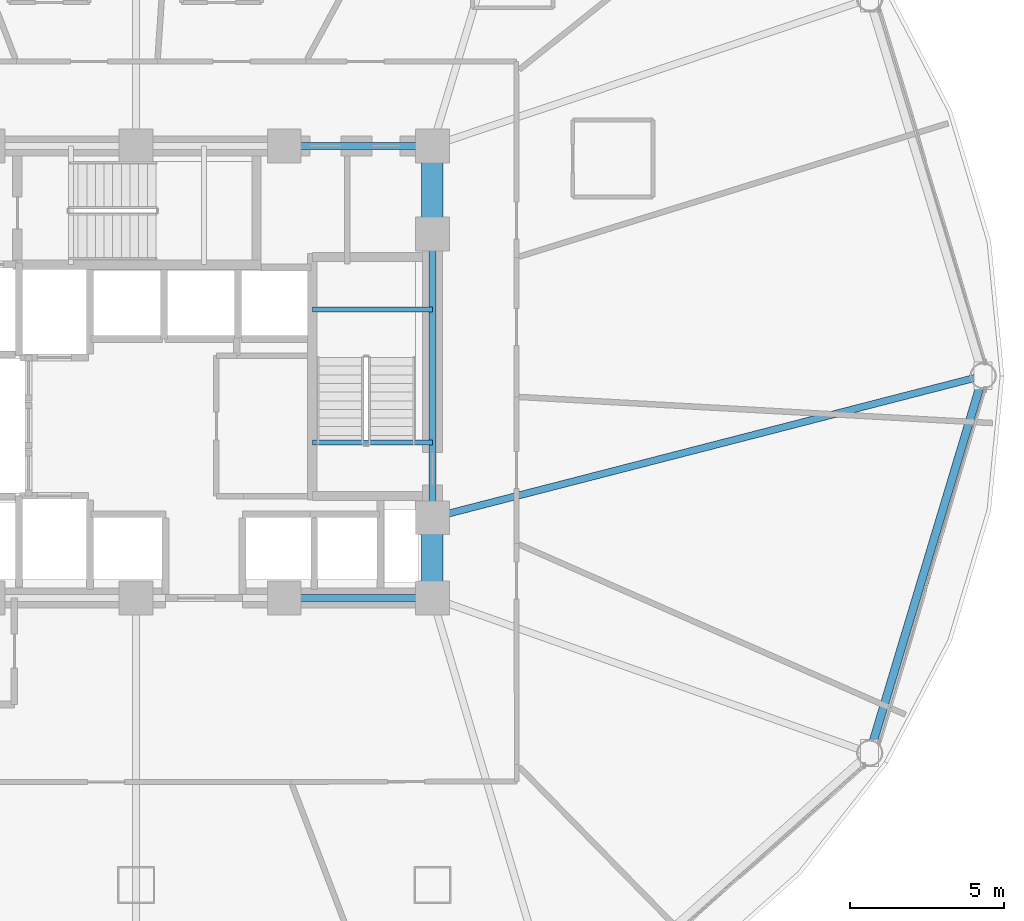
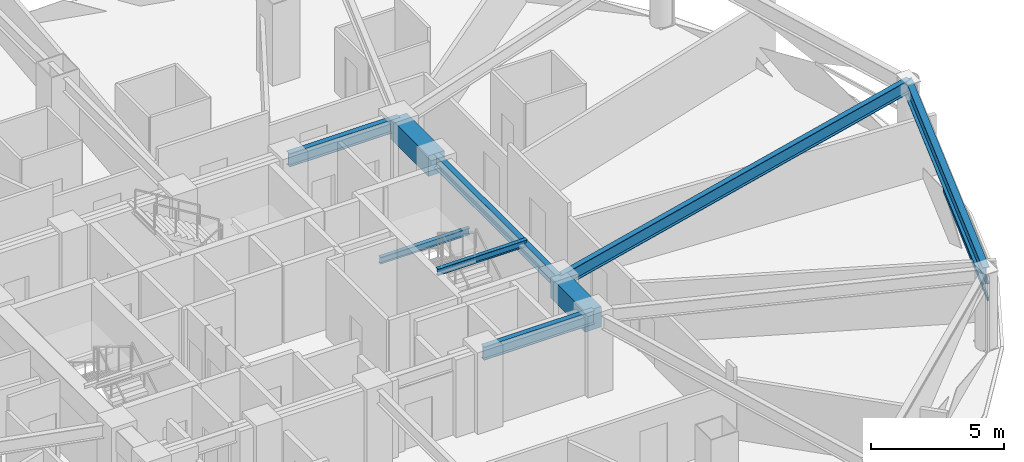
# One storey, part 11 of 29: 9 beams, 1 member, 1 element without a shape of its own.
"""IFC4 building model written with IfcOpenShell, lengths in metres."""

from ifc_helpers import new_model, si_unit, direction, frame, origin, origin_2d, place, context, subcontext, project, spatial, rectangle, hollow_rectangle, i_section, extrude, material, layer, layer_set, material_profile, profile_set, type_object, element, aggregate, save


model = new_model("IFC4")

# Units and contexts
model_context = context("Model", 3, precision=1e-05, world=origin(), true_north=direction((0.0, 1.0)))
body_context = subcontext(model_context, "Body", "Model", "MODEL_VIEW")
ifc_project = project(units=[si_unit("LENGTHUNIT", "METRE"), si_unit("AREAUNIT", "SQUARE_METRE"), si_unit("VOLUMEUNIT", "CUBIC_METRE"), si_unit("PLANEANGLEUNIT", "RADIAN"), si_unit("MASSUNIT", "GRAM", prefix="KILO")], contexts=[model_context])

# Site, building, storey
site_placement = place(None, origin())
site = spatial("IfcSite", under=ifc_project, at=site_placement, CompositionType="ELEMENT")
building_placement = place(site_placement, origin())
building = spatial("IfcBuilding", under=site, at=building_placement, Name="Vantalir Tower", CompositionType="ELEMENT")
storey_placement = place(building_placement, frame((0.0, 0.0, 60.75)))
storey = spatial("IfcBuildingStorey", under=building, at=storey_placement, Name="L14", CompositionType="ELEMENT", Elevation=60.75)

# Beams
ifc_material_1 = material(Name="Concrete C60/75", Category="concrete")
ifc_material_profile_1 = material_profile(ifc_material_1, rectangle(XDim=0.699951171875, YDim=0.949951171875, at=origin_2d()), Name="Concrete C60/75")
ifc_profile_set_1 = profile_set([ifc_material_profile_1], Name="Concrete C60/75")
beam_type_1 = type_object("IfcBeamType", Name="BM-CB-700x950", PredefinedType="USERDEFINED", material=ifc_profile_set_1)
beam_1_placement = place(storey_placement, frame((41.10009765625, 17.800048828125, 3.094970703125), z_axis=(0.0, 1.0, 0.0), x_axis=(-1.0, 0.0, 0.0)))
element("IfcBeam", 1, at=beam_1_placement, inside=storey, type_object=beam_type_1, Name="L14 Core Coupling Girder 05", ObjectType="GIRDER", PredefinedType="USERDEFINED", context=body_context, shape_type="SweptSolid", body=[
    extrude(rectangle(XDim=0.699951171875, YDim=0.949951171875, at=origin_2d()), origin(), (0.0, 0.0, 1.0), 2.599853515625),
])
beam_2_placement = place(storey_placement, frame((41.10009765625, 29.60009765625, 3.094970703125), z_axis=(0.0, 1.0, 0.0), x_axis=(-1.0, 0.0, 0.0)))
element("IfcBeam", 2, at=beam_2_placement, inside=storey, type_object=beam_type_1, Name="L14 Core Coupling Girder 07", ObjectType="GIRDER", PredefinedType="USERDEFINED", context=body_context, shape_type="SweptSolid", body=[
    extrude(rectangle(XDim=0.699951171875, YDim=0.949951171875, at=origin_2d()), origin(), (0.0, 0.0, 1.0), 2.849853515625),
])
ifc_material_2 = material(Name="Steel S355", Category="steel")
ifc_material_profile_2 = material_profile(ifc_material_2, i_section(OverallWidth=0.166015625, OverallDepth=0.306884765625, WebThickness=0.006591796875, FlangeThickness=0.01171875, at=origin_2d()), Name="Steel S355")
ifc_profile_set_2 = profile_set([ifc_material_profile_2], Name="Steel S355")
beam_type_2 = type_object("IfcBeamType", Name="BM-JS-305x165", PredefinedType="JOIST", material=ifc_profile_set_2)
for number, where, z_axis, x_axis, name in (
    (3, (37.2099609375, 22.8349609375, 3.596923828125), (1.0, 0.0, 0.0), (0.0, 1.0, 0.0), "L15 Stair ST2 Well Nosing Trimmer Beam"),
    (4, (37.2099609375, 27.14501953125, 1.52099609375), (1.0, 0.0, 0.0), (0.0, 1.0, 0.0), "L14 Stair ST2 Half-Landing Support Beam"),
):
    element("IfcBeam", number, at=place(storey_placement, frame(where, z_axis=z_axis, x_axis=x_axis)), inside=storey, type_object=beam_type_2, Name=name, PredefinedType="JOIST", context=body_context, shape_type="SweptSolid", body=[
        extrude(i_section(OverallWidth=0.166015625, OverallDepth=0.306884765625, WebThickness=0.006591796875, FlangeThickness=0.01171875, at=origin_2d()), origin(), (0.0, 0.0, 1.0), 3.89013671875),
    ])
ifc_material_profile_3 = material_profile(ifc_material_2, i_section(OverallWidth=0.22998046875, OverallDepth=0.616943359375, WebThickness=0.01318359375, FlangeThickness=0.022216796875, at=origin_2d()), Name="Steel S355")
ifc_profile_set_3 = profile_set([ifc_material_profile_3], Name="Steel S355")
beam_type_3 = type_object("IfcBeamType", Name="BM-RB-610x229", PredefinedType="BEAM", material=ifc_profile_set_3)
beam_3_placement = place(storey_placement, frame((36.300048828125, 17.800048828125, 3.261962890625), z_axis=(1.0, 0.0, 0.0), x_axis=(0.0, 1.0, 0.0)))
element("IfcBeam", 5, at=beam_3_placement, inside=storey, type_object=beam_type_3, Name="L14 Core Coupling Girder 04", PredefinedType="BEAM", context=body_context, shape_type="SweptSolid", body=[
    extrude(i_section(OverallWidth=0.22998046875, OverallDepth=0.616943359375, WebThickness=0.01318359375, FlangeThickness=0.022216796875, at=origin_2d()), origin(), (0.0, 0.0, 1.0), 4.800048828125),
])
beam_4_placement = place(storey_placement, frame((41.10009765625, 20.39990234375, 3.261962890625), z_axis=(0.0, 1.0, 0.0), x_axis=(-1.0, 0.0, 0.0)))
element("IfcBeam", 6, at=beam_4_placement, inside=storey, type_object=beam_type_3, Name="L14 Core Coupling Girder 06", PredefinedType="BEAM", context=body_context, shape_type="SweptSolid", body=[
    extrude(i_section(OverallWidth=0.22998046875, OverallDepth=0.616943359375, WebThickness=0.01318359375, FlangeThickness=0.022216796875, at=origin_2d()), origin(), (0.0, 0.0, 1.0), 9.2001953125),
])
beam_5_placement = place(storey_placement, frame((41.10009765625, 32.449951171875, 3.261962890625), z_axis=(-1.0, 0.0, 0.0), x_axis=(0.0, -1.0, 0.0)))
element("IfcBeam", 7, at=beam_5_placement, inside=storey, type_object=beam_type_3, Name="L14 Core Coupling Girder 08", PredefinedType="BEAM", context=body_context, shape_type="SweptSolid", body=[
    extrude(i_section(OverallWidth=0.22998046875, OverallDepth=0.616943359375, WebThickness=0.01318359375, FlangeThickness=0.022216796875, at=origin_2d()), origin(), (0.0, 0.0, 1.0), 4.800048828125),
])
beam_6_placement = place(storey_placement, frame((58.950927734375, 25.0, 3.261962890625), z_axis=(-0.968363475004, -0.249543944582, 0.0), x_axis=(0.249543944582, -0.968363475004, 0.0)))
element("IfcBeam", 8, at=beam_6_placement, inside=storey, type_object=beam_type_3, Name="L14 Radial Floor Beam 01", PredefinedType="BEAM", context=body_context, shape_type="SweptSolid", body=[
    extrude(i_section(OverallWidth=0.22998046875, OverallDepth=0.616943359375, WebThickness=0.01318359375, FlangeThickness=0.022216796875, at=origin_2d()), origin(), (0.0, 0.0, 1.0), 18.43408203125),
])
ifc_material_3 = material(Name="Steel S460", Category="steel")
ifc_material_profile_4 = material_profile(ifc_material_3, i_section(OverallWidth=0.26806640625, OverallDepth=0.77001953125, WebThickness=0.015625, FlangeThickness=0.025390625, at=origin_2d()), Name="Steel S460")
ifc_profile_set_4 = profile_set([ifc_material_profile_4], Name="Steel S460")
beam_type_4 = type_object("IfcBeamType", Name="BM-RG-762x267", PredefinedType="USERDEFINED", material=ifc_profile_set_4)
beam_7_placement = place(storey_placement, frame((55.27294921875, 12.77392578125, 3.18505859375), z_axis=(0.288077607768, 0.957607065504, 0.0), x_axis=(-0.957607065504, 0.288077607768, 0.0)))
element("IfcBeam", 9, at=beam_7_placement, inside=storey, type_object=beam_type_4, Name="L14 Circumferential Ring Girder 12", ObjectType="GIRDER", PredefinedType="USERDEFINED", context=body_context, shape_type="SweptSolid", body=[
    extrude(i_section(OverallWidth=0.26806640625, OverallDepth=0.77001953125, WebThickness=0.015625, FlangeThickness=0.025390625, at=origin_2d()), origin(), (0.0, 0.0, 1.0), 12.767333984375),
])

# Curtain wall, member
ifc_material_4 = material(Name="Champagne-silver PVDF aluminium and double-silver Low-E glass", Category="aluminium")
ifc_layer = layer(ifc_material_4, 0.18994140625)
ifc_layer_set = layer_set([ifc_layer], Name="Champagne-silver PVDF aluminium and double-silver Low-E glass")
curtain_wall_type = type_object("IfcCurtainWallType", Name="CW-DIAMOND-Z1", PredefinedType="USERDEFINED", material=ifc_layer_set)
curtain_wall_placement = place(storey_placement, origin())
curtain_wall = element("IfcCurtainWall", 10, at=curtain_wall_placement, inside=storey, type_object=curtain_wall_type, Name="L14 Quilted Pyramid-Diamond Curtain Wall S12", ObjectType="UNITISED CURTAIN WALL", PredefinedType="USERDEFINED")
ifc_material_5 = material(Name="Champagne-silver PVDF aluminium 6063-T6", Category="aluminium")
ifc_material_profile_5 = material_profile(ifc_material_5, hollow_rectangle(XDim=0.074951171875, YDim=0.159912109375, WallThickness=0.00390625, at=origin_2d()), Name="Champagne-silver PVDF aluminium 6063-T6")
ifc_profile_set_5 = profile_set([ifc_material_profile_5], Name="Champagne-silver PVDF aluminium 6063-T6")
member_type = type_object("IfcMemberType", Name="CWT-160x75", PredefinedType="USERDEFINED", material=ifc_profile_set_5)
member_placement = place(storey_placement, frame((55.572998046875, 13.12890625, 1.784912109375), z_axis=(0.290937026876, 0.956742204772, 0.0), x_axis=(-0.956742204772, 0.290937026876, 0.0)))
member = element("IfcMember", 11, at=member_placement, type_object=member_type, Name="CW-L14-S12 Pyramid Fold Ridge Transom", ObjectType="TRANSOM", PredefinedType="USERDEFINED", context=body_context, shape_type="SweptSolid", body=[
    extrude(hollow_rectangle(XDim=0.074951171875, YDim=0.159912109375, WallThickness=0.00390625, at=origin_2d()), origin(), (0.0, 0.0, 1.0), 7.397216796875),
])
aggregate(curtain_wall, [member])

save(model, "model.ifc")
